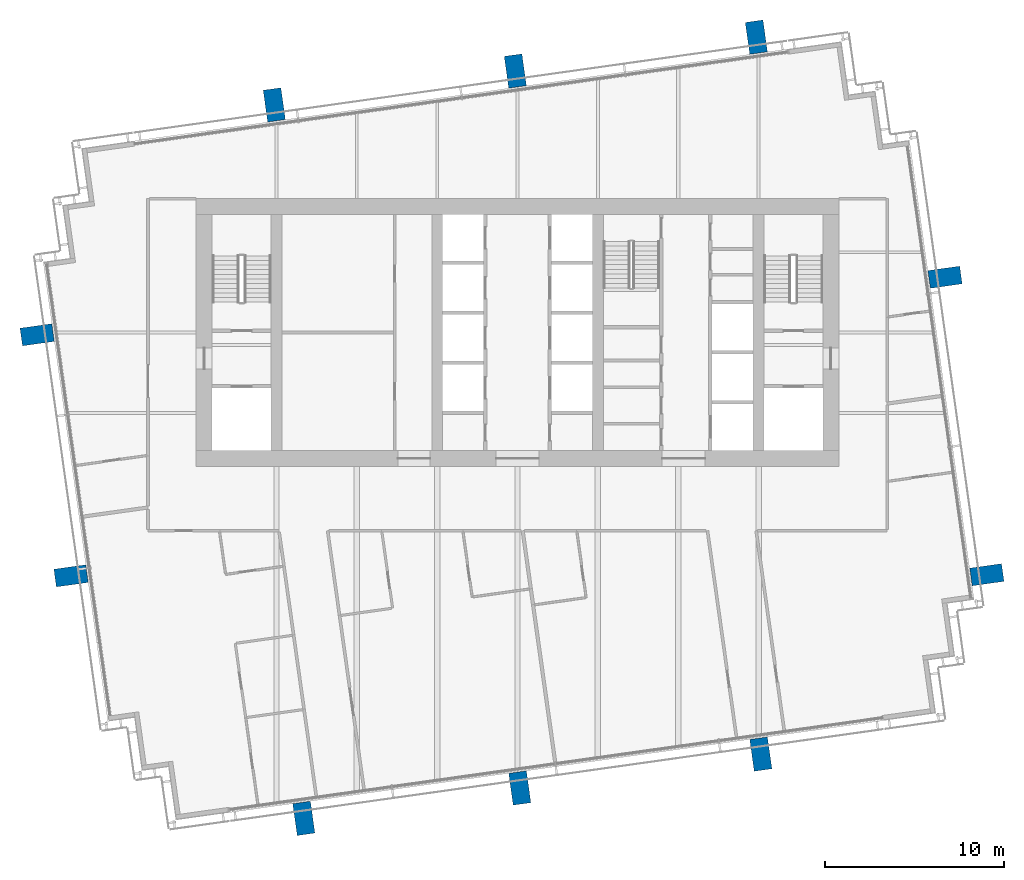
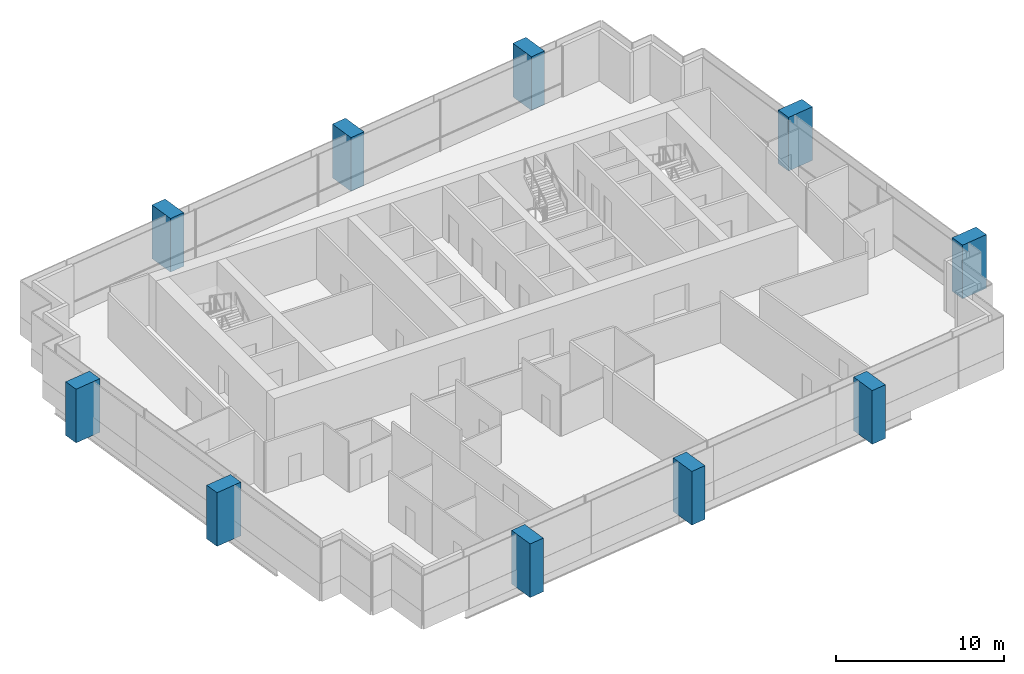
# One storey, part 1 of 15: 10 columns.
"""IFC4 building model written with IfcOpenShell, lengths in metres."""

from ifc_helpers import new_model, si_unit, direction, frame, origin, origin_2d, place, context, subcontext, project, spatial, rectangle, extrude, material, material_profile, profile_set, type_object, element, save


model = new_model("IFC4")

# Units and contexts
model_context = context("Model", 3, precision=1e-05, world=origin(), true_north=direction((0.0, 1.0)))
body_context = subcontext(model_context, "Body", "Model", "MODEL_VIEW")
ifc_project = project(units=[si_unit("LENGTHUNIT", "METRE"), si_unit("AREAUNIT", "SQUARE_METRE"), si_unit("VOLUMEUNIT", "CUBIC_METRE"), si_unit("PLANEANGLEUNIT", "RADIAN"), si_unit("MASSUNIT", "GRAM", prefix="KILO")], contexts=[model_context])

# Site, building, storey
site_placement = place(None, origin())
site = spatial("IfcSite", under=ifc_project, at=site_placement, CompositionType="ELEMENT")
building_placement = place(site_placement, origin())
building = spatial("IfcBuilding", under=site, at=building_placement, Name="Rattan Terrace Tower", CompositionType="ELEMENT")
storey_placement = place(building_placement, frame((0.0, 0.0, 274.60009765625)))
storey = spatial("IfcBuildingStorey", under=building, at=storey_placement, Name="L63", CompositionType="ELEMENT", Elevation=274.60009765625)

# Columns
ifc_material = material(Name="Concrete C40/50", Category="concrete")
ifc_material_profile = material_profile(ifc_material, rectangle(XDim=1.0, YDim=1.800048828125, at=origin_2d()), Name="CFT 1800x1000")
ifc_profile_set = profile_set([ifc_material_profile], Name="Concrete C40/50")
column_type = type_object("IfcColumnType", Name="Frame exoskeleton column CFT 1800x1000", PredefinedType="COLUMN", material=ifc_profile_set)
for number, where, z_axis, x_axis, name in (
    (1, (-11.970947265625, -27.208984375, -0.2001953125), (0.0, 0.0, 1.0), (0.990265639562, 0.139190384377, 0.0), "exo-L63-001"),
    (2, (0.125, -25.508056640625, -0.2001953125), (0.0, 0.0, 1.0), (0.990265639562, 0.139190384377, 0.0), "exo-L63-002"),
    (3, (13.625, -23.610107421875, -0.2001953125), (0.0, 0.0, 1.0), (0.990265639562, 0.139190384377, 0.0), "exo-L63-003"),
    (4, (-25.007080078125, -13.625, -0.2001953125), (0.0, 0.0, 1.0), (-0.139190384377, 0.990265639562, 0.0), "exo-L63-004"),
    (5, (26.283935546875, -13.56494140625, -0.2001953125), (0.0, 0.0, 1.0), (-0.139190384377, 0.990265639562, 0.0), "exo-L63-005"),
    (6, (-26.906005859375, -0.125, -0.2001953125), (0.0, 0.0, 1.0), (-0.139190384377, 0.990265639562, 0.0), "exo-L63-006"),
    (7, (23.94091796875, 3.10009765625, -0.2001953125), (0.0, 0.0, 1.0), (-0.139190384377, 0.990265639562, 0.0), "exo-L63-007"),
    (8, (-13.625, 12.7509765625, -0.2001953125), (0.0, 0.0, 1.0), (0.990265639562, 0.139190384377, 0.0), "exo-L63-008"),
    (9, (-0.125, 14.64794921875, -0.2001953125), (0.0, 0.0, 1.0), (0.990265639562, 0.139190384377, 0.0), "exo-L63-009"),
    (10, (13.375, 16.5458984375, -0.2001953125), (0.0, 0.0, 1.0), (0.990265639562, 0.139190384377, 0.0), "exo-L63-010"),
):
    element("IfcColumn", number, at=place(storey_placement, frame(where, z_axis=z_axis, x_axis=x_axis)), inside=storey, type_object=column_type, Name=name, PredefinedType="COLUMN", context=body_context, shape_type="SweptSolid", body=[
        extrude(rectangle(XDim=1.0, YDim=1.800048828125, at=origin_2d()), origin(), (0.0, 0.0, 1.0), 3.900146484375),
    ])

save(model, "model.ifc")
